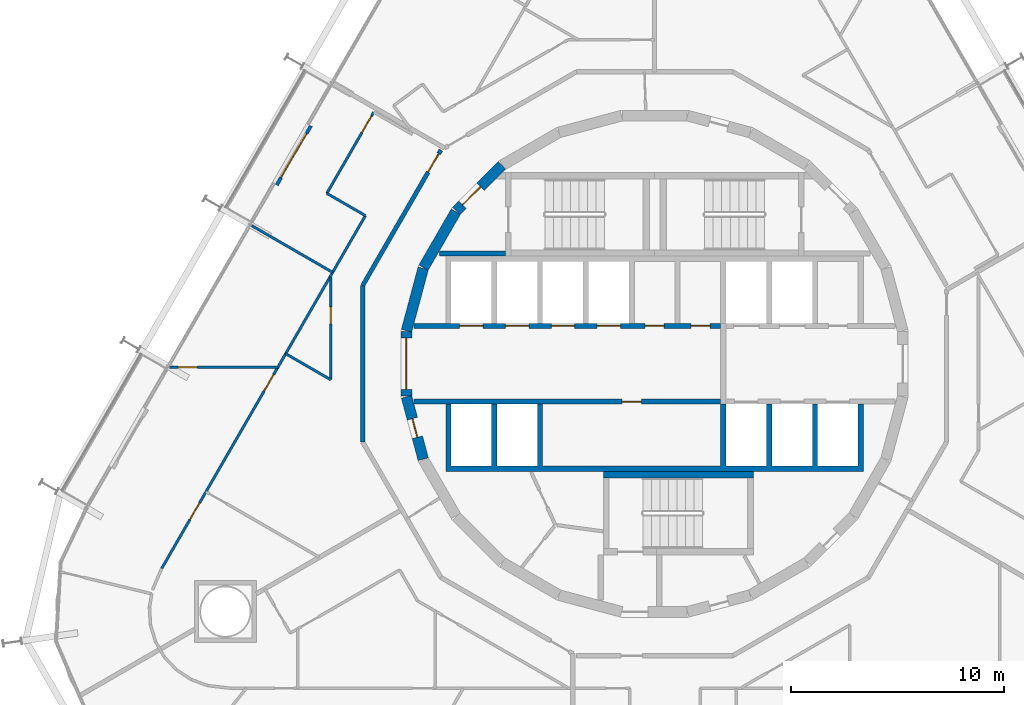
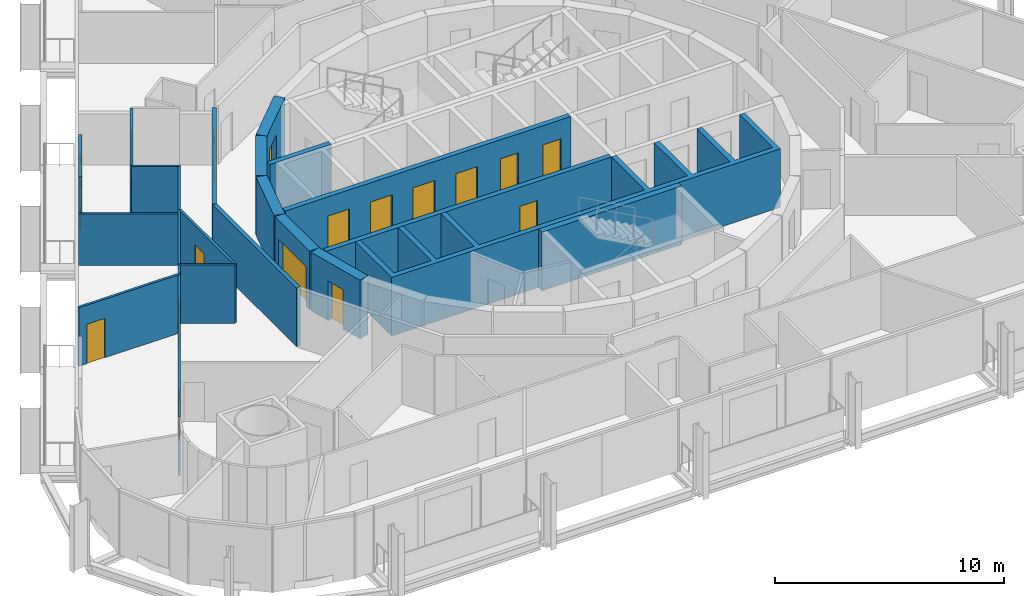
# One storey, part 14 of 20: 21 walls, 17 doors, 17 openings.
"""IFC4 building model written with IfcOpenShell, lengths in metres."""

from ifc_helpers import new_model, si_unit, direction, frame, frame_2d, origin, place, context, subcontext, project, spatial, polyline, rectangle, outline, extrude, material, layer, layer_set, type_object, element, fill, save


model = new_model("IFC4")

# Units and contexts
model_context = context("Model", 3, precision=1e-05, world=origin(), true_north=direction((0.0, 1.0)))
body_context = subcontext(model_context, "Body", "Model", "MODEL_VIEW")
ifc_project = project(units=[si_unit("LENGTHUNIT", "METRE"), si_unit("AREAUNIT", "SQUARE_METRE"), si_unit("VOLUMEUNIT", "CUBIC_METRE"), si_unit("PLANEANGLEUNIT", "RADIAN"), si_unit("MASSUNIT", "GRAM", prefix="KILO")], contexts=[model_context])

# Site, building, storey
site_placement = place(None, origin())
site = spatial("IfcSite", under=ifc_project, at=site_placement, CompositionType="ELEMENT")
building_placement = place(site_placement, origin())
building = spatial("IfcBuilding", under=site, at=building_placement, Name="Spindle Arch Residences", CompositionType="ELEMENT")
storey_placement = place(building_placement, frame((0.0, 0.0, 41.89990234375)))
storey = spatial("IfcBuildingStorey", under=building, at=storey_placement, Name="L08", CompositionType="ELEMENT", Elevation=41.89990234375)

# Wall, opening, door
ifc_material_1 = material(Name="Concrete C50/60", Category="concrete")
ifc_layer_1 = layer(ifc_material_1, 0.5)
ifc_layer_set_1 = layer_set([ifc_layer_1], Name="Core outline wall 500")
wall_type_1 = type_object("IfcWallType", Name="Core outline wall 500", PredefinedType="SHEAR", material=ifc_layer_set_1)
wall_1_placement = place(storey_placement, frame((-7.163818359375, 9.30810546875, 0.0), z_axis=(0.0, 0.0, 1.0), x_axis=(-0.707106781187, -0.707106781187, 0.0)))
wall_1 = element("IfcWall", 1, at=wall_1_placement, inside=storey, type_object=wall_type_1, Name="Core outline wall 15", PredefinedType="SHEAR", context=body_context, shape_type="SweptSolid", body=[
    extrude(rectangle(XDim=3.032470703125, YDim=0.5, at=frame_2d((1.51611328125, 0.0))), origin(), (0.0, 0.0, 1.0), 3.1201171875),
])
opening_1_placement = place(wall_1_placement, frame((1.416259765625, 0.0, 0.0)))
opening_1 = element("IfcOpeningElement", 2, at=opening_1_placement, cuts=wall_1, Name="Opening R1A1-AD02", PredefinedType="OPENING", context=body_context, shape_type="SweptSolid", body=[
    extrude(rectangle(XDim=1.199951171875, YDim=2.10009765625, at=frame_2d((0.60009765625, 1.050048828125))), frame((0.0, 0.260009765625, 0.0), z_axis=(0.0, -1.0, 0.0), x_axis=(1.0, 0.0, 0.0)), (0.0, 0.0, 1.0), 0.52001953125),
])
ifc_material_2 = material(Name="Steel, fire-resisting door", Category="steel")
door_type_1 = type_object("IfcDoorType", Name="Stair airlock door 1200x2100", OperationType="SINGLE_SWING_LEFT", PredefinedType="DOOR", material=ifc_material_2)
door_1_placement = place(opening_1_placement, origin())
door_1 = element("IfcDoor", 3, at=door_1_placement, inside=storey, type_object=door_type_1, Name="Stair airlock door R1A1-AD02", OperationType="SINGLE_SWING_RIGHT", OverallHeight=2.10009765625, OverallWidth=1.199951171875, PredefinedType="DOOR", context=body_context, shape_type="SweptSolid", body=[
    extrude(rectangle(XDim=1.199951171875, YDim=2.10009765625, at=frame_2d((0.60009765625, 1.050048828125))), frame((0.0, 0.02490234375, 0.0), z_axis=(0.0, -1.0, 0.0), x_axis=(1.0, 0.0, 0.0)), (0.0, 0.0, 1.0), 0.050048828125),
])
fill(opening_1, door_1)

# Walls
for number, where, z_axis, x_axis, name in (
    (4, (-9.32861328125, 7.13671875, 0.0), (0.0, 0.0, 1.0), (-0.500087131594, -0.865975092491, 0.0), "Core outline wall 16"),
    (5, (-10.858154296875, 4.479248046875, 0.0), (0.0, 0.0, 1.0), (-0.258734743916, -0.965948410781, 0.0), "Core outline wall 17"),
):
    element("IfcWall", number, at=place(storey_placement, frame(where, z_axis=z_axis, x_axis=x_axis)), inside=storey, type_object=wall_type_1, Name=name, PredefinedType="SHEAR", context=body_context, shape_type="SweptSolid", body=[
        extrude(rectangle(XDim=3.03271484375, YDim=0.5, at=frame_2d((1.516357421875, 0.0))), origin(), (0.0, 0.0, 1.0), 3.1201171875),
    ])

# Wall, opening, door
wall_2_placement = place(storey_placement, frame((-11.647216796875, 1.516357421875, 0.0), z_axis=(0.0, 0.0, 1.0), x_axis=(0.0, -1.0, 0.0)))
wall_2 = element("IfcWall", 6, at=wall_2_placement, inside=storey, type_object=wall_type_1, Name="Core outline wall 18", PredefinedType="SHEAR", context=body_context, shape_type="SweptSolid", body=[
    extrude(rectangle(XDim=3.03271484375, YDim=0.5, at=frame_2d((1.516357421875, 0.0))), origin(), (0.0, 0.0, 1.0), 3.1201171875),
])
opening_2_placement = place(wall_2_placement, frame((0.31640625, 0.0, 0.0)))
opening_2 = element("IfcOpeningElement", 7, at=opening_2_placement, cuts=wall_2, Name="Opening R1A1-LE01", PredefinedType="OPENING", context=body_context, shape_type="SweptSolid", body=[
    extrude(rectangle(XDim=2.39990234375, YDim=2.10009765625, at=frame_2d((1.199951171875, 1.050048828125))), frame((0.0, 0.260009765625, 0.0), z_axis=(0.0, -1.0, 0.0), x_axis=(1.0, 0.0, 0.0)), (0.0, 0.0, 1.0), 0.52001953125),
])
ifc_material_3 = material(Name="Steel, fire-resisting door", Category="steel")
door_type_2 = type_object("IfcDoorType", Name="Lift lobby entrance door 2400x2100", OperationType="DOUBLE_DOOR_SINGLE_SWING", PredefinedType="DOOR", material=ifc_material_3)
door_2_placement = place(opening_2_placement, origin())
door_2 = element("IfcDoor", 8, at=door_2_placement, inside=storey, type_object=door_type_2, Name="Lift lobby entrance door R1A1-LE01", OperationType="DOUBLE_DOOR_SINGLE_SWING", OverallHeight=2.10009765625, OverallWidth=2.39990234375, PredefinedType="DOOR", context=body_context, shape_type="SweptSolid", body=[
    extrude(rectangle(XDim=2.39990234375, YDim=2.10009765625, at=frame_2d((1.199951171875, 1.050048828125))), frame((0.0, 0.02490234375, 0.0), z_axis=(0.0, -1.0, 0.0), x_axis=(1.0, 0.0, 0.0)), (0.0, 0.0, 1.0), 0.050048828125),
])
fill(opening_2, door_2)

wall_3_placement = place(storey_placement, frame((-11.642822265625, -1.5498046875, 0.0), z_axis=(0.0, 0.0, 1.0), x_axis=(0.258734743916, -0.965948410781, 0.0)))
wall_3 = element("IfcWall", 9, at=wall_3_placement, inside=storey, type_object=wall_type_1, Name="Core outline wall 19", PredefinedType="SHEAR", context=body_context, shape_type="SweptSolid", body=[
    extrude(rectangle(XDim=3.03271484375, YDim=0.5, at=frame_2d((1.516357421875, 0.0))), origin(), (0.0, 0.0, 1.0), 3.1201171875),
])
opening_3_placement = place(wall_3_placement, frame((1.06640625, 0.0, 0.0)))
opening_3 = element("IfcOpeningElement", 10, at=opening_3_placement, cuts=wall_3, Name="Opening R1A1-WD09", PredefinedType="OPENING", context=body_context, shape_type="SweptSolid", body=[
    extrude(rectangle(XDim=0.89990234375, YDim=2.10009765625, at=frame_2d((0.449951171875, 1.050048828125))), frame((0.0, 0.260009765625, 0.0), z_axis=(0.0, -1.0, 0.0), x_axis=(1.0, 0.0, 0.0)), (0.0, 0.0, 1.0), 0.52001953125),
])
ifc_material_4 = material(Name="Steel, fire-resisting door", Category="steel")
door_type_3 = type_object("IfcDoorType", Name="Service room door 900x2100", OperationType="SINGLE_SWING_LEFT", PredefinedType="DOOR", material=ifc_material_4)
door_3_placement = place(opening_3_placement, origin())
door_3 = element("IfcDoor", 11, at=door_3_placement, inside=storey, type_object=door_type_3, Name="Service room door R1A1-WD09", OperationType="SINGLE_SWING_RIGHT", OverallHeight=2.10009765625, OverallWidth=0.89990234375, PredefinedType="DOOR", context=body_context, shape_type="SweptSolid", body=[
    extrude(rectangle(XDim=0.89990234375, YDim=2.10009765625, at=frame_2d((0.449951171875, 1.050048828125))), frame((0.0, 0.02490234375, 0.0), z_axis=(0.0, -1.0, 0.0), x_axis=(1.0, 0.0, 0.0)), (0.0, 0.0, 1.0), 0.050048828125),
])
fill(opening_3, door_3)

ifc_material_5 = material(Name="Calcium silicate block, plastered")
ifc_layer_2 = layer(ifc_material_5, 0.199951171875)
ifc_layer_set_2 = layer_set([ifc_layer_2], Name="Corridor wall 200")
wall_type_2 = type_object("IfcWallType", Name="Corridor wall 200", PredefinedType="STANDARD", material=ifc_layer_set_2)
wall_4_placement = place(storey_placement, frame((-10.029052734375, 10.029052734375, 0.0), z_axis=(0.0, 0.0, 1.0), x_axis=(-0.500001669485, -0.866024439905, 0.0)))
wall_4 = element("IfcWall", 12, at=wall_4_placement, inside=storey, type_object=wall_type_2, Name="Corridor wall R1A1-W010", PredefinedType="STANDARD", context=body_context, shape_type="SweptSolid", body=[
    extrude(rectangle(XDim=7.341796875, YDim=0.199951171875, at=frame_2d((3.6708984375, 0.0))), origin(), (0.0, 0.0, 1.0), 3.1201171875),
])
opening_4_placement = place(wall_4_placement, frame((0.199951171875, 0.0, 0.0)))
opening_4 = element("IfcOpeningElement", 13, at=opening_4_placement, cuts=wall_4, Name="Opening R1A1-FD03", PredefinedType="OPENING", context=body_context, shape_type="SweptSolid", body=[
    extrude(rectangle(XDim=1.0, YDim=2.10009765625, at=frame_2d((0.5, 1.050048828125))), frame((0.0, 0.10986328125, 0.0), z_axis=(0.0, -1.0, 0.0), x_axis=(1.0, 0.0, 0.0)), (0.0, 0.0, 1.0), 0.219970703125),
])
ifc_material_6 = material(Name="Timber, fire-resisting door set", Category="wood")
door_type_4 = type_object("IfcDoorType", Name="Flat entrance door 1000x2100", OperationType="NOTDEFINED", PredefinedType="DOOR", material=ifc_material_6)
door_4_placement = place(opening_4_placement, origin())
door_4 = element("IfcDoor", 14, at=door_4_placement, inside=storey, type_object=door_type_4, Name="Flat entrance door R1A1-FD03", OperationType="SINGLE_SWING_LEFT", OverallHeight=2.10009765625, OverallWidth=1.0, PredefinedType="DOOR", context=body_context, shape_type="SweptSolid", body=[
    extrude(rectangle(XDim=1.0, YDim=2.10009765625, at=frame_2d((0.5, 1.050048828125))), frame((0.0, 0.02490234375, 0.0), z_axis=(0.0, -1.0, 0.0), x_axis=(1.0, 0.0, 0.0)), (0.0, 0.0, 1.0), 0.050048828125),
])
fill(opening_4, door_4)

# Wall
wall_5_placement = place(storey_placement, frame((-13.699951171875, 3.6708984375, 0.0), z_axis=(0.0, 0.0, 1.0), x_axis=(0.0, -1.0, 0.0)))
element("IfcWall", 15, at=wall_5_placement, inside=storey, type_object=wall_type_2, Name="Corridor wall R1A1-W011", PredefinedType="STANDARD", context=body_context, shape_type="SweptSolid", body=[
    extrude(rectangle(XDim=7.341796875, YDim=0.199951171875, at=frame_2d((3.6708984375, 0.0))), origin(), (0.0, 0.0, 1.0), 3.1201171875),
])

# Wall, opening, door
ifc_material_7 = material(Name="Plasterboard on steel studs", Category="steel")
ifc_layer_3 = layer(ifc_material_7, 0.1201171875)
ifc_layer_set_3 = layer_set([ifc_layer_3], Name="Flat partition 120")
wall_type_3 = type_object("IfcWallType", Name="Flat partition 120", PredefinedType="PARTITIONING", material=ifc_layer_set_3)
wall_6_placement = place(storey_placement, frame((-13.181396484375, 11.807861328125, 0.0), z_axis=(0.0, 0.0, 1.0), x_axis=(-0.50002983664, -0.866008176907, 0.0)))
wall_6 = element("IfcWall", 16, at=wall_6_placement, inside=storey, type_object=wall_type_3, Name="Flat partition R1A1-W057", PredefinedType="PARTITIONING", context=body_context, shape_type="SweptSolid", body=[
    extrude(rectangle(XDim=4.400146484375, YDim=0.1201171875, at=frame_2d((2.2001953125, 0.0))), origin(), (0.0, 0.0, 1.0), 3.1201171875),
])
opening_5_placement = place(wall_6_placement, frame((0.199951171875, 0.0, 0.0)))
opening_5 = element("IfcOpeningElement", 17, at=opening_5_placement, cuts=wall_6, Name="Opening R1A1-ID12", PredefinedType="OPENING", context=body_context, shape_type="SweptSolid", body=[
    extrude(rectangle(XDim=0.89990234375, YDim=2.10009765625, at=frame_2d((0.449951171875, 1.050048828125))), frame((0.0, 0.070068359375, 0.0), z_axis=(0.0, -1.0, 0.0), x_axis=(1.0, 0.0, 0.0)), (0.0, 0.0, 1.0), 0.14013671875),
])
ifc_material_8 = material(Name="Timber door set", Category="wood")
door_type_5 = type_object("IfcDoorType", Name="Room door 900x2100", OperationType="NOTDEFINED", PredefinedType="DOOR", material=ifc_material_8)
door_5_placement = place(opening_5_placement, origin())
door_5 = element("IfcDoor", 18, at=door_5_placement, inside=storey, type_object=door_type_5, Name="Room door R1A1-ID12", OperationType="SINGLE_SWING_LEFT", OverallHeight=2.10009765625, OverallWidth=0.89990234375, PredefinedType="DOOR", context=body_context, shape_type="SweptSolid", body=[
    extrude(rectangle(XDim=0.89990234375, YDim=2.10009765625, at=frame_2d((0.449951171875, 1.050048828125))), frame((0.0, 0.02490234375, 0.0), z_axis=(0.0, -1.0, 0.0), x_axis=(1.0, 0.0, 0.0)), (0.0, 0.0, 1.0), 0.050048828125),
])
fill(opening_5, door_5)

# Walls
wall_7_placement = place(storey_placement, frame((-15.381591796875, 7.997314453125, 0.0), z_axis=(0.0, 0.0, 1.0), x_axis=(0.866041603473, -0.499971940267, 0.0)))
element("IfcWall", 19, at=wall_7_placement, inside=storey, type_object=wall_type_3, Name="Flat partition R1A1-W058", PredefinedType="PARTITIONING", context=body_context, shape_type="SweptSolid", body=[
    extrude(rectangle(XDim=2.08935546875, YDim=0.1201171875, at=frame_2d((1.044677734375, 0.0))), origin(), (0.0, 0.0, 1.0), 3.1201171875),
])
wall_8_placement = place(storey_placement, frame((-13.572021484375, 6.95263671875, 0.0), z_axis=(0.0, 0.0, 1.0), x_axis=(-0.499981332661, -0.866036181109, 0.0)))
element("IfcWall", 20, at=wall_8_placement, inside=storey, type_object=wall_type_3, Name="Flat partition R1A1-W059", PredefinedType="PARTITIONING", context=body_context, shape_type="SweptSolid", body=[
    extrude(rectangle(XDim=7.483154296875, YDim=0.1201171875, at=frame_2d((3.74169921875, 0.0))), origin(), (0.0, 0.0, 1.0), 3.1201171875),
])

# Wall, openings, doors
wall_9_placement = place(storey_placement, frame((-17.3134765625, 0.471923828125, 0.0), z_axis=(0.0, 0.0, 1.0), x_axis=(-0.499999047218, -0.866025953873, 0.0)))
wall_9 = element("IfcWall", 21, at=wall_9_placement, inside=storey, type_object=wall_type_3, Name="Flat partition R1A1-W060", PredefinedType="PARTITIONING", context=body_context, shape_type="SweptSolid", body=[
    extrude(rectangle(XDim=11.63916015625, YDim=0.1201171875, at=frame_2d((5.819580078125, 0.0))), origin(), (0.0, 0.0, 1.0), 3.1201171875),
])
opening_6_placement = place(wall_9_placement, frame((1.131591796875, 0.0, 0.0)))
opening_6 = element("IfcOpeningElement", 22, at=opening_6_placement, cuts=wall_9, Name="Opening R1A1-ID13", PredefinedType="OPENING", context=body_context, shape_type="SweptSolid", body=[
    extrude(rectangle(XDim=0.89990234375, YDim=2.10009765625, at=frame_2d((0.449951171875, 1.050048828125))), frame((0.0, 0.070068359375, 0.0), z_axis=(0.0, -1.0, 0.0), x_axis=(1.0, 0.0, 0.0)), (0.0, 0.0, 1.0), 0.14013671875),
])
opening_7_placement = place(wall_9_placement, frame((8.0830078125, 0.0, 0.0)))
opening_7 = element("IfcOpeningElement", 23, at=opening_7_placement, cuts=wall_9, Name="Opening R1A1-ID17", PredefinedType="OPENING", context=body_context, shape_type="SweptSolid", body=[
    extrude(rectangle(XDim=0.89990234375, YDim=2.10009765625, at=frame_2d((0.449951171875, 1.050048828125))), frame((0.0, 0.070068359375, 0.0), z_axis=(0.0, -1.0, 0.0), x_axis=(1.0, 0.0, 0.0)), (0.0, 0.0, 1.0), 0.14013671875),
])
door_6_placement = place(opening_6_placement, origin())
door_6 = element("IfcDoor", 24, at=door_6_placement, inside=storey, type_object=door_type_5, Name="Room door R1A1-ID13", OperationType="SINGLE_SWING_RIGHT", OverallHeight=2.10009765625, OverallWidth=0.89990234375, PredefinedType="DOOR", context=body_context, shape_type="SweptSolid", body=[
    extrude(rectangle(XDim=0.89990234375, YDim=2.10009765625, at=frame_2d((0.449951171875, 1.050048828125))), frame((0.0, 0.02490234375, 0.0), z_axis=(0.0, -1.0, 0.0), x_axis=(1.0, 0.0, 0.0)), (0.0, 0.0, 1.0), 0.050048828125),
])
fill(opening_6, door_6)
door_7_placement = place(opening_7_placement, origin())
door_7 = element("IfcDoor", 25, at=door_7_placement, inside=storey, type_object=door_type_5, Name="Room door R1A1-ID17", OperationType="SINGLE_SWING_LEFT", OverallHeight=2.10009765625, OverallWidth=0.89990234375, PredefinedType="DOOR", context=body_context, shape_type="SweptSolid", body=[
    extrude(rectangle(XDim=0.89990234375, YDim=2.10009765625, at=frame_2d((0.449951171875, 1.050048828125))), frame((0.0, 0.02490234375, 0.0), z_axis=(0.0, -1.0, 0.0), x_axis=(1.0, 0.0, 0.0)), (0.0, 0.0, 1.0), 0.050048828125),
])
fill(opening_7, door_7)

# Wall, opening, door
wall_10_placement = place(storey_placement, frame((-15.199951171875, 4.07275390625, 0.0), z_axis=(0.0, 0.0, 1.0), x_axis=(0.0, -1.0, 0.0)))
wall_10 = element("IfcWall", 26, at=wall_10_placement, inside=storey, type_object=wall_type_3, Name="Flat partition R1A1-W061", PredefinedType="PARTITIONING", context=body_context, shape_type="SweptSolid", body=[
    extrude(rectangle(XDim=4.821044921875, YDim=0.1201171875, at=frame_2d((2.41064453125, 0.0))), origin(), (0.0, 0.0, 1.0), 3.1201171875),
])
opening_8_placement = place(wall_10_placement, frame((1.39990234375, 0.0, 0.0)))
opening_8 = element("IfcOpeningElement", 27, at=opening_8_placement, cuts=wall_10, Name="Opening R1A1-BD04", PredefinedType="OPENING", context=body_context, shape_type="SweptSolid", body=[
    extrude(rectangle(XDim=0.800048828125, YDim=2.10009765625, at=frame_2d((0.39990234375, 1.050048828125))), frame((0.0, 0.070068359375, 0.0), z_axis=(0.0, -1.0, 0.0), x_axis=(1.0, 0.0, 0.0)), (0.0, 0.0, 1.0), 0.14013671875),
])
ifc_material_9 = material(Name="Timber door set", Category="wood")
door_type_6 = type_object("IfcDoorType", Name="Bathroom door 800x2100", OperationType="NOTDEFINED", PredefinedType="DOOR", material=ifc_material_9)
door_8_placement = place(opening_8_placement, origin())
door_8 = element("IfcDoor", 28, at=door_8_placement, inside=storey, type_object=door_type_6, Name="Bathroom door R1A1-BD04", OperationType="SINGLE_SWING_RIGHT", OverallHeight=2.10009765625, OverallWidth=0.800048828125, PredefinedType="DOOR", context=body_context, shape_type="SweptSolid", body=[
    extrude(rectangle(XDim=0.800048828125, YDim=2.10009765625, at=frame_2d((0.39990234375, 1.050048828125))), frame((0.0, 0.02490234375, 0.0), z_axis=(0.0, -1.0, 0.0), x_axis=(1.0, 0.0, 0.0)), (0.0, 0.0, 1.0), 0.050048828125),
])
fill(opening_8, door_8)

# Wall
wall_11_placement = place(storey_placement, frame((-15.199951171875, -0.748291015625, 0.0), z_axis=(0.0, 0.0, 1.0), x_axis=(-0.866030657337, 0.49999090047, 0.0)))
element("IfcWall", 29, at=wall_11_placement, inside=storey, type_object=wall_type_3, Name="Flat partition R1A1-W062", PredefinedType="PARTITIONING", context=body_context, shape_type="SweptSolid", body=[
    extrude(rectangle(XDim=2.4404296875, YDim=0.1201171875, at=frame_2d((1.22021484375, 0.0))), origin(), (0.0, 0.0, 1.0), 3.1201171875),
])

# Wall, opening, door
wall_12_placement = place(storey_placement, frame((-22.760009765625, -0.161865234375, 0.0), z_axis=(0.0, 0.0, 1.0), x_axis=(1.0, 0.0, 0.0)))
wall_12 = element("IfcWall", 30, at=wall_12_placement, inside=storey, type_object=wall_type_3, Name="Flat partition R1A1-W065", PredefinedType="PARTITIONING", context=body_context, shape_type="SweptSolid", body=[
    extrude(rectangle(XDim=5.08056640625, YDim=0.1201171875, at=frame_2d((2.540283203125, 0.0))), origin(), (0.0, 0.0, 1.0), 3.1201171875),
])
opening_9_placement = place(wall_12_placement, frame((0.39990234375, 0.0, 0.0)))
opening_9 = element("IfcOpeningElement", 31, at=opening_9_placement, cuts=wall_12, Name="Opening R1A1-ID15", PredefinedType="OPENING", context=body_context, shape_type="SweptSolid", body=[
    extrude(rectangle(XDim=0.89990234375, YDim=2.10009765625, at=frame_2d((0.449951171875, 1.050048828125))), frame((0.0, 0.070068359375, 0.0), z_axis=(0.0, -1.0, 0.0), x_axis=(1.0, 0.0, 0.0)), (0.0, 0.0, 1.0), 0.14013671875),
])
door_9_placement = place(opening_9_placement, origin())
door_9 = element("IfcDoor", 32, at=door_9_placement, inside=storey, type_object=door_type_5, Name="Room door R1A1-ID15", OperationType="SINGLE_SWING_LEFT", OverallHeight=2.10009765625, OverallWidth=0.89990234375, PredefinedType="DOOR", context=body_context, shape_type="SweptSolid", body=[
    extrude(rectangle(XDim=0.89990234375, YDim=2.10009765625, at=frame_2d((0.449951171875, 1.050048828125))), frame((0.0, 0.02490234375, 0.0), z_axis=(0.0, -1.0, 0.0), x_axis=(1.0, 0.0, 0.0)), (0.0, 0.0, 1.0), 0.050048828125),
])
fill(opening_9, door_9)

# Wall
ifc_material_10 = material(Name="Plasterboard on steel studs", Category="steel")
ifc_layer_4 = layer(ifc_material_10, 0.1201171875)
ifc_layer_set_4 = layer_set([ifc_layer_4], Name="Flat partition 120 under beam 2730")
wall_type_4 = type_object("IfcWallType", Name="Flat partition 120 under beam 2730", PredefinedType="PARTITIONING", material=ifc_layer_set_4)
wall_13_placement = place(storey_placement, frame((-18.919921875, 6.489501953125, 0.0), z_axis=(0.0, 0.0, 1.0), x_axis=(0.865994303029, -0.500053864221, 0.0)))
element("IfcWall", 33, at=wall_13_placement, inside=storey, type_object=wall_type_4, Name="Flat partition R1A1-W064", PredefinedType="PARTITIONING", context=body_context, shape_type="SweptSolid", body=[
    extrude(rectangle(XDim=4.39990234375, YDim=0.1201171875, at=frame_2d((2.199951171875, 0.0))), origin(), (0.0, 0.0, 1.0), 2.72998046875),
])

# Wall, opening, door
ifc_material_11 = material(Name="Non-combustible mineral wool insulated aluminium faced external wall (K0)", Category="aluminium")
ifc_layer_5 = layer(ifc_material_11, 0.159912109375)
ifc_layer_set_5 = layer_set([ifc_layer_5], Name="Insulated external wall panel 160")
wall_type_5 = type_object("IfcWallType", Name="Insulated external wall panel 160", PredefinedType="STANDARD", material=ifc_layer_set_5)
wall_14_placement = place(storey_placement, frame((-16.130615234375, 11.16064453125, 0.0), z_axis=(0.0, 0.0, 1.0), x_axis=(-0.500028443584, -0.866008981251, 0.0)))
wall_14 = element("IfcWall", 34, at=wall_14_placement, inside=storey, type_object=wall_type_5, Name="External wall L08 bay 16", PredefinedType="STANDARD", context=body_context, shape_type="SweptSolid", body=[
    extrude(rectangle(XDim=3.199951171875, YDim=0.159912109375, at=frame_2d((1.60009765625, 0.0))), origin(), (0.0, 0.0, 1.0), 3.1201171875),
])
opening_10_placement = place(wall_14_placement, frame((0.39990234375, 0.0, 0.0)))
opening_10 = element("IfcOpeningElement", 35, at=opening_10_placement, cuts=wall_14, Name="Opening BD16", PredefinedType="OPENING", context=body_context, shape_type="SweptSolid", body=[
    extrude(rectangle(XDim=2.39990234375, YDim=2.39990234375, at=frame_2d((1.199951171875, 1.199951171875))), frame((0.0, 0.08984375, 0.0), z_axis=(0.0, -1.0, 0.0), x_axis=(1.0, 0.0, 0.0)), (0.0, 0.0, 1.0), 0.179931640625),
])
ifc_material_12 = material(Name="Bronze aluminium frame, tinted double glazing", Category="aluminium")
door_type_7 = type_object("IfcDoorType", Name="Sliding glazed balcony door 2400x2400", OperationType="DOUBLE_DOOR_SLIDING", PredefinedType="DOOR", material=ifc_material_12)
door_10_placement = place(opening_10_placement, origin())
door_10 = element("IfcDoor", 36, at=door_10_placement, inside=storey, type_object=door_type_7, Name="Balcony door BD16", OperationType="DOUBLE_DOOR_SLIDING", OverallHeight=2.39990234375, OverallWidth=2.39990234375, PredefinedType="DOOR", context=body_context, shape_type="SweptSolid", body=[
    extrude(rectangle(XDim=2.39990234375, YDim=2.39990234375, at=frame_2d((1.199951171875, 1.199951171875))), frame((0.0, 0.02490234375, 0.0), z_axis=(0.0, -1.0, 0.0), x_axis=(1.0, 0.0, 0.0)), (0.0, 0.0, 1.0), 0.050048828125),
])
fill(opening_10, door_10)

# Wall, openings, doors
ifc_material_13 = material(Name="Concrete C50/60", Category="concrete")
ifc_layer_6 = layer(ifc_material_13, 0.25)
ifc_layer_set_6 = layer_set([ifc_layer_6], Name="Lift shaft wall 250")
wall_type_6 = type_object("IfcWallType", Name="Lift shaft wall 250", PredefinedType="SHEAR", material=ifc_layer_set_6)
wall_15_placement = place(storey_placement, frame((-11.280029296875, 1.77490234375, 0.0), z_axis=(0.0, 0.0, 1.0), x_axis=(1.0, 0.0, 0.0)))
wall_15 = element("IfcWall", 37, at=wall_15_placement, inside=storey, type_object=wall_type_6, Name="Lift shaft front wall NW", PredefinedType="SHEAR", context=body_context, shape_type="SweptSolid", body=[
    extrude(rectangle(XDim=14.380126953125, YDim=0.25, at=frame_2d((7.18994140625, 0.0))), origin(), (0.0, 0.0, 1.0), 3.1201171875),
])
opening_11_placement = place(wall_15_placement, frame((2.1298828125, 0.0, 0.0)))
opening_11 = element("IfcOpeningElement", 38, at=opening_11_placement, cuts=wall_15, Name="Opening R1A1-LD01", PredefinedType="OPENING", context=body_context, shape_type="SweptSolid", body=[
    extrude(rectangle(XDim=1.10009765625, YDim=2.10009765625, at=frame_2d((0.550048828125, 1.050048828125))), frame((0.0, 0.135009765625, 0.0), z_axis=(0.0, -1.0, 0.0), x_axis=(1.0, 0.0, 0.0)), (0.0, 0.0, 1.0), 0.27001953125),
])
opening_12_placement = place(wall_15_placement, frame((4.280029296875, 0.0, 0.0)))
opening_12 = element("IfcOpeningElement", 39, at=opening_12_placement, cuts=wall_15, Name="Opening R1A1-LD02", PredefinedType="OPENING", context=body_context, shape_type="SweptSolid", body=[
    extrude(rectangle(XDim=1.10009765625, YDim=2.10009765625, at=frame_2d((0.550048828125, 1.050048828125))), frame((0.0, 0.135009765625, 0.0), z_axis=(0.0, -1.0, 0.0), x_axis=(1.0, 0.0, 0.0)), (0.0, 0.0, 1.0), 0.27001953125),
])
opening_13_placement = place(wall_15_placement, frame((6.429931640625, 0.0, 0.0)))
opening_13 = element("IfcOpeningElement", 40, at=opening_13_placement, cuts=wall_15, Name="Opening R1A1-LD03", PredefinedType="OPENING", context=body_context, shape_type="SweptSolid", body=[
    extrude(rectangle(XDim=1.10009765625, YDim=2.10009765625, at=frame_2d((0.550048828125, 1.050048828125))), frame((0.0, 0.135009765625, 0.0), z_axis=(0.0, -1.0, 0.0), x_axis=(1.0, 0.0, 0.0)), (0.0, 0.0, 1.0), 0.27001953125),
])
opening_14_placement = place(wall_15_placement, frame((8.580078125, 0.0, 0.0)))
opening_14 = element("IfcOpeningElement", 41, at=opening_14_placement, cuts=wall_15, Name="Opening R1A1-LD04", PredefinedType="OPENING", context=body_context, shape_type="SweptSolid", body=[
    extrude(rectangle(XDim=1.10009765625, YDim=2.10009765625, at=frame_2d((0.550048828125, 1.050048828125))), frame((0.0, 0.135009765625, 0.0), z_axis=(0.0, -1.0, 0.0), x_axis=(1.0, 0.0, 0.0)), (0.0, 0.0, 1.0), 0.27001953125),
])
opening_15_placement = place(wall_15_placement, frame((10.830078125, 0.0, 0.0)))
opening_15 = element("IfcOpeningElement", 42, at=opening_15_placement, cuts=wall_15, Name="Opening R1A1-WD01", PredefinedType="OPENING", context=body_context, shape_type="SweptSolid", body=[
    extrude(rectangle(XDim=0.89990234375, YDim=2.10009765625, at=frame_2d((0.449951171875, 1.050048828125))), frame((0.0, 0.135009765625, 0.0), z_axis=(0.0, -1.0, 0.0), x_axis=(1.0, 0.0, 0.0)), (0.0, 0.0, 1.0), 0.27001953125),
])
opening_16_placement = place(wall_15_placement, frame((12.97998046875, 0.0, 0.0)))
opening_16 = element("IfcOpeningElement", 43, at=opening_16_placement, cuts=wall_15, Name="Opening R1A1-WD02", PredefinedType="OPENING", context=body_context, shape_type="SweptSolid", body=[
    extrude(rectangle(XDim=0.89990234375, YDim=2.10009765625, at=frame_2d((0.449951171875, 1.050048828125))), frame((0.0, 0.135009765625, 0.0), z_axis=(0.0, -1.0, 0.0), x_axis=(1.0, 0.0, 0.0)), (0.0, 0.0, 1.0), 0.27001953125),
])
ifc_material_14 = material(Name="Steel, fire-resisting landing door", Category="steel")
door_type_8 = type_object("IfcDoorType", Name="Lift landing door 1100x2100", OperationType="DOUBLE_DOOR_SLIDING", PredefinedType="DOOR", material=ifc_material_14)
door_11_placement = place(opening_11_placement, origin())
door_11 = element("IfcDoor", 44, at=door_11_placement, inside=storey, type_object=door_type_8, Name="Lift landing door R1A1-LD01", OperationType="DOUBLE_DOOR_SLIDING", OverallHeight=2.10009765625, OverallWidth=1.10009765625, PredefinedType="DOOR", context=body_context, shape_type="SweptSolid", body=[
    extrude(rectangle(XDim=1.10009765625, YDim=2.10009765625, at=frame_2d((0.550048828125, 1.050048828125))), frame((0.0, 0.02490234375, 0.0), z_axis=(0.0, -1.0, 0.0), x_axis=(1.0, 0.0, 0.0)), (0.0, 0.0, 1.0), 0.050048828125),
])
fill(opening_11, door_11)
door_12_placement = place(opening_12_placement, origin())
door_12 = element("IfcDoor", 45, at=door_12_placement, inside=storey, type_object=door_type_8, Name="Lift landing door R1A1-LD02", OperationType="DOUBLE_DOOR_SLIDING", OverallHeight=2.10009765625, OverallWidth=1.10009765625, PredefinedType="DOOR", context=body_context, shape_type="SweptSolid", body=[
    extrude(rectangle(XDim=1.10009765625, YDim=2.10009765625, at=frame_2d((0.550048828125, 1.050048828125))), frame((0.0, 0.02490234375, 0.0), z_axis=(0.0, -1.0, 0.0), x_axis=(1.0, 0.0, 0.0)), (0.0, 0.0, 1.0), 0.050048828125),
])
fill(opening_12, door_12)
door_13_placement = place(opening_13_placement, origin())
door_13 = element("IfcDoor", 46, at=door_13_placement, inside=storey, type_object=door_type_8, Name="Lift landing door R1A1-LD03", OperationType="DOUBLE_DOOR_SLIDING", OverallHeight=2.10009765625, OverallWidth=1.10009765625, PredefinedType="DOOR", context=body_context, shape_type="SweptSolid", body=[
    extrude(rectangle(XDim=1.10009765625, YDim=2.10009765625, at=frame_2d((0.550048828125, 1.050048828125))), frame((0.0, 0.02490234375, 0.0), z_axis=(0.0, -1.0, 0.0), x_axis=(1.0, 0.0, 0.0)), (0.0, 0.0, 1.0), 0.050048828125),
])
fill(opening_13, door_13)
door_14_placement = place(opening_14_placement, origin())
door_14 = element("IfcDoor", 47, at=door_14_placement, inside=storey, type_object=door_type_8, Name="Lift landing door R1A1-LD04", OperationType="DOUBLE_DOOR_SLIDING", OverallHeight=2.10009765625, OverallWidth=1.10009765625, PredefinedType="DOOR", context=body_context, shape_type="SweptSolid", body=[
    extrude(rectangle(XDim=1.10009765625, YDim=2.10009765625, at=frame_2d((0.550048828125, 1.050048828125))), frame((0.0, 0.02490234375, 0.0), z_axis=(0.0, -1.0, 0.0), x_axis=(1.0, 0.0, 0.0)), (0.0, 0.0, 1.0), 0.050048828125),
])
fill(opening_14, door_14)
door_15_placement = place(opening_15_placement, origin())
door_15 = element("IfcDoor", 48, at=door_15_placement, inside=storey, type_object=door_type_3, Name="Service room door R1A1-WD01", OperationType="SINGLE_SWING_RIGHT", OverallHeight=2.10009765625, OverallWidth=0.89990234375, PredefinedType="DOOR", context=body_context, shape_type="SweptSolid", body=[
    extrude(rectangle(XDim=0.89990234375, YDim=2.10009765625, at=frame_2d((0.449951171875, 1.050048828125))), frame((0.0, 0.02490234375, 0.0), z_axis=(0.0, -1.0, 0.0), x_axis=(1.0, 0.0, 0.0)), (0.0, 0.0, 1.0), 0.050048828125),
])
fill(opening_15, door_15)
door_16_placement = place(opening_16_placement, origin())
door_16 = element("IfcDoor", 49, at=door_16_placement, inside=storey, type_object=door_type_3, Name="Service room door R1A1-WD02", OperationType="SINGLE_SWING_LEFT", OverallHeight=2.10009765625, OverallWidth=0.89990234375, PredefinedType="DOOR", context=body_context, shape_type="SweptSolid", body=[
    extrude(rectangle(XDim=0.89990234375, YDim=2.10009765625, at=frame_2d((0.449951171875, 1.050048828125))), frame((0.0, 0.02490234375, 0.0), z_axis=(0.0, -1.0, 0.0), x_axis=(1.0, 0.0, 0.0)), (0.0, 0.0, 1.0), 0.050048828125),
])
fill(opening_16, door_16)

# Wall, opening, door
wall_16_placement = place(storey_placement, frame((-11.280029296875, -1.77490234375, 0.0), z_axis=(0.0, 0.0, 1.0), x_axis=(1.0, 0.0, 0.0)))
wall_16 = element("IfcWall", 50, at=wall_16_placement, inside=storey, type_object=wall_type_6, Name="Lift shaft front wall SW", PredefinedType="SHEAR", context=body_context, shape_type="SweptSolid", body=[
    extrude(rectangle(XDim=14.380126953125, YDim=0.25, at=frame_2d((7.18994140625, 0.0))), origin(), (0.0, 0.0, 1.0), 3.1201171875),
])
opening_17_placement = place(wall_16_placement, frame((9.7548828125, 0.0, 0.0)))
opening_17 = element("IfcOpeningElement", 51, at=opening_17_placement, cuts=wall_16, Name="Opening R1A1-WD04", PredefinedType="OPENING", context=body_context, shape_type="SweptSolid", body=[
    extrude(rectangle(XDim=0.89990234375, YDim=2.10009765625, at=frame_2d((0.449951171875, 1.050048828125))), frame((0.0, 0.135009765625, 0.0), z_axis=(0.0, -1.0, 0.0), x_axis=(1.0, 0.0, 0.0)), (0.0, 0.0, 1.0), 0.27001953125),
])
door_17_placement = place(opening_17_placement, origin())
door_17 = element("IfcDoor", 52, at=door_17_placement, inside=storey, type_object=door_type_3, Name="Service room door R1A1-WD04", OperationType="SINGLE_SWING_LEFT", OverallHeight=2.10009765625, OverallWidth=0.89990234375, PredefinedType="DOOR", context=body_context, shape_type="SweptSolid", body=[
    extrude(rectangle(XDim=0.89990234375, YDim=2.10009765625, at=frame_2d((0.449951171875, 1.050048828125))), frame((0.0, 0.02490234375, 0.0), z_axis=(0.0, -1.0, 0.0), x_axis=(1.0, 0.0, 0.0)), (0.0, 0.0, 1.0), 0.050048828125),
])
fill(opening_17, door_17)

# Walls
ifc_material_15 = material(Name="Concrete C50/60", Category="concrete")
wall_type_7 = type_object("IfcWallType", Name="Lift shaft wall profile", PredefinedType="SHEAR", material=ifc_material_15)
wall_17_placement = place(storey_placement, origin())
element("IfcWall", 53, at=wall_17_placement, inside=storey, type_object=wall_type_7, Name="Lift shaft walls S", PredefinedType="SHEAR", context=body_context, shape_type="SweptSolid", body=[
    extrude(outline(polyline([(9.800048828125, -5.050048828125), (9.800048828125, -4.800048828125), (9.800048828125, -1.89990234375), (9.550048828125, -1.89990234375), (9.550048828125, -4.800048828125), (7.64990234375, -4.800048828125), (7.64990234375, -1.89990234375), (7.39990234375, -1.89990234375), (7.39990234375, -4.800048828125), (5.5, -4.800048828125), (5.5, -1.89990234375), (5.25, -1.89990234375), (5.25, -4.800048828125), (3.35009765625, -4.800048828125), (3.35009765625, -1.89990234375), (3.10009765625, -1.89990234375), (3.10009765625, -4.800048828125), (-5.25, -4.800048828125), (-5.25, -1.89990234375), (-5.5, -1.89990234375), (-5.5, -4.800048828125), (-7.39990234375, -4.800048828125), (-7.39990234375, -1.89990234375), (-7.64990234375, -1.89990234375), (-7.64990234375, -4.800048828125), (-9.550048828125, -4.800048828125), (-9.550048828125, -1.89990234375), (-9.800048828125, -1.89990234375), (-9.800048828125, -4.800048828125), (-9.800048828125, -5.050048828125), (9.800048828125, -5.050048828125)])), origin(), (0.0, 0.0, 1.0), 3.1201171875),
])
ifc_material_16 = material(Name="Concrete C40/50", Category="concrete")
ifc_layer_7 = layer(ifc_material_16, 0.25)
ifc_layer_set_7 = layer_set([ifc_layer_7], Name="Stair airlock wall 250")
wall_type_8 = type_object("IfcWallType", Name="Stair airlock wall 250", PredefinedType="SHEAR", material=ifc_layer_set_7)
wall_18_placement = place(storey_placement, frame((-7.0, 5.175048828125, 0.0), z_axis=(0.0, 0.0, 1.0), x_axis=(-1.0, 0.0, 0.0)))
element("IfcWall", 54, at=wall_18_placement, inside=storey, type_object=wall_type_8, Name="Stair ST-2 airlock wall S", PredefinedType="SHEAR", context=body_context, shape_type="SweptSolid", body=[
    extrude(rectangle(XDim=3.10009765625, YDim=0.25, at=frame_2d((1.550048828125, 0.0))), origin(), (0.0, 0.0, 1.0), 3.1201171875),
])
ifc_material_17 = material(Name="Concrete C50/60", Category="concrete")
ifc_layer_8 = layer(ifc_material_17, 0.300048828125)
ifc_layer_set_8 = layer_set([ifc_layer_8], Name="Stair enclosure wall 300")
wall_type_9 = type_object("IfcWallType", Name="Stair enclosure wall 300", PredefinedType="SHEAR", material=ifc_layer_set_8)
wall_19_placement = place(storey_placement, frame((-2.39990234375, -5.199951171875, 0.0), z_axis=(0.0, 0.0, 1.0), x_axis=(1.0, 0.0, 0.0)))
element("IfcWall", 55, at=wall_19_placement, inside=storey, type_object=wall_type_9, Name="Stair ST-3 enclosure wall N", PredefinedType="SHEAR", context=body_context, shape_type="SweptSolid", body=[
    extrude(rectangle(XDim=7.0498046875, YDim=0.300048828125, at=frame_2d((3.52490234375, 0.0))), origin(), (0.0, 0.0, 1.0), 3.1201171875),
])

save(model, "model.ifc")
